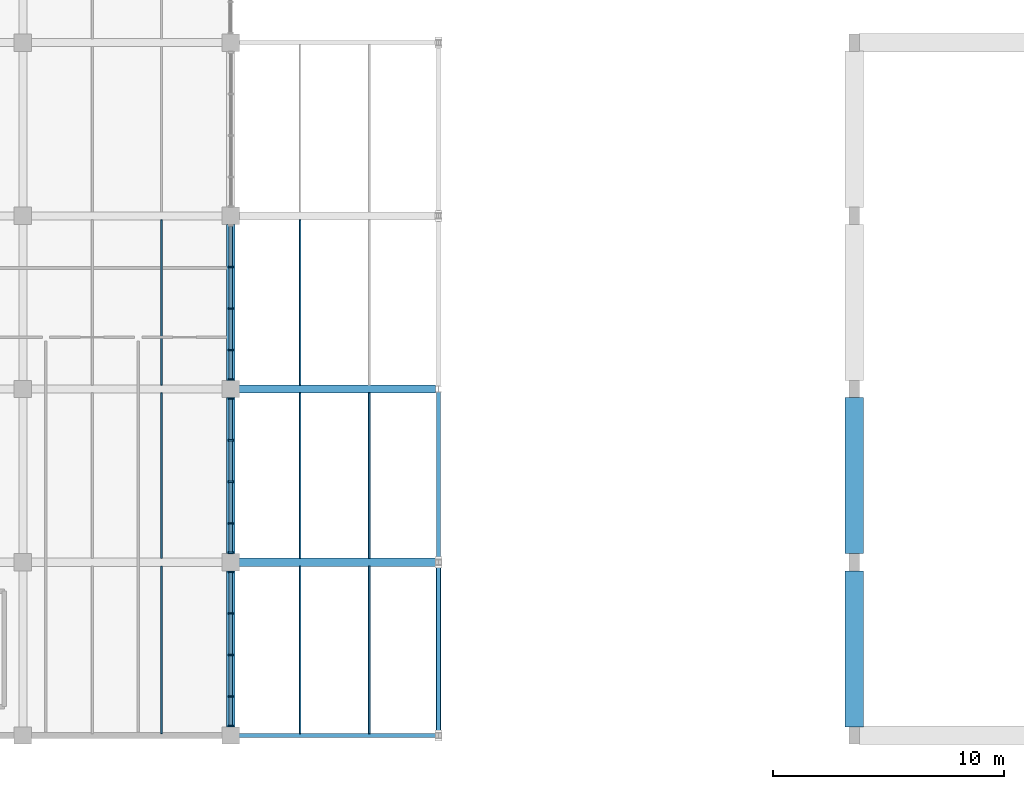
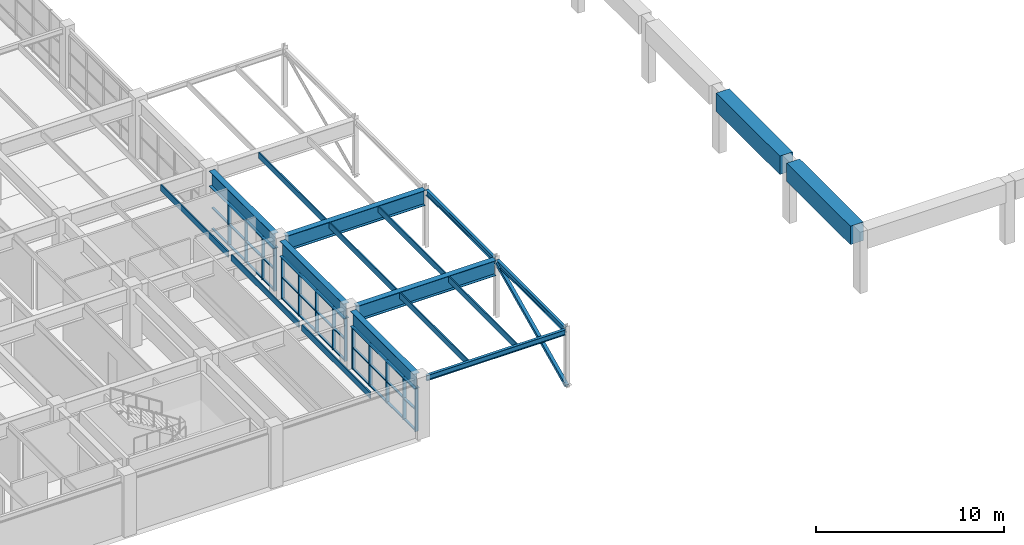
# One storey, part 13 of 76: 50 members, 18 beams, 3 elements without a shape of their own.
"""IFC4 building model written with IfcOpenShell, lengths in metres."""

from ifc_helpers import new_model, si_unit, direction, frame, origin, origin_2d, place, context, subcontext, project, spatial, rectangle, hollow_rectangle, i_section, extrude, material, layer, layer_set, material_profile, profile_set, type_object, element, aggregate, save


model = new_model("IFC4")

# Units and contexts
model_context = context("Model", 3, precision=1e-05, world=origin(), true_north=direction((0.0, 1.0)))
body_context = subcontext(model_context, "Body", "Model", "MODEL_VIEW")
ifc_project = project(units=[si_unit("LENGTHUNIT", "METRE"), si_unit("AREAUNIT", "SQUARE_METRE"), si_unit("VOLUMEUNIT", "CUBIC_METRE"), si_unit("PLANEANGLEUNIT", "RADIAN"), si_unit("MASSUNIT", "GRAM", prefix="KILO")], contexts=[model_context])

# Site, building, storey
site_placement = place(None, origin())
site = spatial("IfcSite", under=ifc_project, at=site_placement, CompositionType="ELEMENT")
building_placement = place(site_placement, origin())
building = spatial("IfcBuilding", under=site, at=building_placement, Name="Marnridge Secondary College", CompositionType="ELEMENT")
storey_placement = place(building_placement, frame((0.0, 0.0, 4.5)))
storey = spatial("IfcBuildingStorey", under=building, at=storey_placement, Name="L01", CompositionType="ELEMENT", Elevation=4.5)

# Beams
ifc_material_1 = material(Name="Engineered timber LVL E13.2", Category="wood")
ifc_material_profile_1 = material_profile(ifc_material_1, rectangle(XDim=0.074951171875, YDim=0.39990234375, at=origin_2d()), Name="LVL 75x400")
ifc_profile_set_1 = profile_set([ifc_material_profile_1], Name="Engineered timber LVL E13.2")
beam_type_1 = type_object("IfcBeamType", Name="BM-LVL400-INT", PredefinedType="JOIST", material=ifc_profile_set_1)
beam_1_placement = place(storey_placement, frame((33.0, 0.07958984375, 3.570068359375), z_axis=(0.0, 1.0, 0.0), x_axis=(-1.0, 0.0, 0.0)))
element("IfcBeam", 1, at=beam_1_placement, inside=storey, type_object=beam_type_1, Name="Beam BJ-L01-0733", PredefinedType="JOIST", context=body_context, shape_type="SweptSolid", body=[
    extrude(rectangle(XDim=0.074951171875, YDim=0.39990234375, at=origin_2d()), origin(), (0.0, 0.0, 1.0), 7.25146484375),
])
for number, where, z_axis, x_axis, name in (
    (2, (33.0, 7.6689453125, 3.570068359375), (0.0, 1.0, 0.0), (-1.0, 0.0, 0.0), "Beam BJ-L01-0735"),
    (3, (33.0, 15.1689453125, 3.570068359375), (0.0, 1.0, 0.0), (-1.0, 0.0, 0.0), "Beam BJ-L01-0737"),
):
    element("IfcBeam", number, at=place(storey_placement, frame(where, z_axis=z_axis, x_axis=x_axis)), inside=storey, type_object=beam_type_1, Name=name, PredefinedType="JOIST", context=body_context, shape_type="SweptSolid", body=[
        extrude(rectangle(XDim=0.074951171875, YDim=0.39990234375, at=origin_2d()), origin(), (0.0, 0.0, 1.0), 7.162109375),
    ])
for number, where, z_axis, x_axis, name in (
    (4, (39.0, 0.07958984375, 3.570068359375), (0.0, 1.0, 0.0), (-1.0, 0.0, 0.0), "Beam BJ-L01-0740"),
    (5, (42.0, 0.07958984375, 3.570068359375), (0.0, 1.0, 0.0), (-1.0, 0.0, 0.0), "Beam BJ-L01-0741"),
):
    element("IfcBeam", number, at=place(storey_placement, frame(where, z_axis=z_axis, x_axis=x_axis)), inside=storey, type_object=beam_type_1, Name=name, PredefinedType="JOIST", context=body_context, shape_type="SweptSolid", body=[
        extrude(rectangle(XDim=0.074951171875, YDim=0.39990234375, at=origin_2d()), origin(), (0.0, 0.0, 1.0), 7.25146484375),
    ])
for number, where, z_axis, x_axis, name in (
    (6, (39.0, 7.6689453125, 3.570068359375), (0.0, 1.0, 0.0), (-1.0, 0.0, 0.0), "Beam BJ-L01-0742"),
    (7, (42.0, 7.6689453125, 3.570068359375), (0.0, 1.0, 0.0), (-1.0, 0.0, 0.0), "Beam BJ-L01-0743"),
    (8, (39.0, 15.1689453125, 3.570068359375), (0.0, 1.0, 0.0), (-1.0, 0.0, 0.0), "Beam BJ-L01-0744"),
):
    element("IfcBeam", number, at=place(storey_placement, frame(where, z_axis=z_axis, x_axis=x_axis)), inside=storey, type_object=beam_type_1, Name=name, PredefinedType="JOIST", context=body_context, shape_type="SweptSolid", body=[
        extrude(rectangle(XDim=0.074951171875, YDim=0.39990234375, at=origin_2d()), origin(), (0.0, 0.0, 1.0), 7.162109375),
    ])
ifc_material_2 = material(Name="Concrete C50/60 (AS 3600 N50, 50 MPa)", Category="concrete")
ifc_material_profile_2 = material_profile(ifc_material_2, rectangle(XDim=0.800048828125, YDim=1.199951171875, at=origin_2d()), Name="RC 800x1200")
ifc_profile_set_2 = profile_set([ifc_material_profile_2], Name="Concrete C50/60 (AS 3600 N50, 50 MPa)")
beam_type_2 = type_object("IfcBeamType", Name="BM-RING-8012", PredefinedType="USERDEFINED", material=ifc_profile_set_2)
for number, where, z_axis, x_axis, name in (
    (9, (63.0, 0.368896484375, 3.39990234375), (0.0, 1.0, 0.0), (-1.0, 0.0, 0.0), "Beam BRG-L01-0027"),
    (10, (63.0, 7.868896484375, 3.39990234375), (0.0, 1.0, 0.0), (-1.0, 0.0, 0.0), "Beam BRG-L01-0029"),
):
    element("IfcBeam", number, at=place(storey_placement, frame(where, z_axis=z_axis, x_axis=x_axis)), inside=storey, type_object=beam_type_2, Name=name, ObjectType="RING BEAM", PredefinedType="USERDEFINED", context=body_context, shape_type="SweptSolid", body=[
        extrude(rectangle(XDim=0.800048828125, YDim=1.199951171875, at=origin_2d()), origin(), (0.0, 0.0, 1.0), 6.76220703125),
    ])
ifc_material_3 = material(Name="Structural steel Grade 350 (AS/NZS 3679.1/.2, fy = 340-360 MPa)", Category="steel")
ifc_material_profile_3 = material_profile(ifc_material_3, i_section(OverallWidth=0.1708984375, OverallDepth=0.35205078125, WebThickness=0.0068359375, FlangeThickness=0.009765625, FilletRadius=0.011474609375, at=origin_2d()), Name="360UB44.7")
ifc_profile_set_3 = profile_set([ifc_material_profile_3], Name="Structural steel Grade 350 (AS/NZS 3679.1/.2, fy = 340-360 MPa)")
beam_type_3 = type_object("IfcBeamType", Name="BM-UB360-EXT", PredefinedType="SPANDREL", material=ifc_profile_set_3)
beam_2_placement = place(storey_placement, frame((36.368896484375, 0.0, 3.593994140625), z_axis=(1.0, 0.0, 0.0), x_axis=(0.0, 1.0, 0.0)))
element("IfcBeam", 11, at=beam_2_placement, inside=storey, type_object=beam_type_3, Name="Beam BS-L01-0695", PredefinedType="SPANDREL", context=body_context, shape_type="SweptSolid", body=[
    extrude(i_section(OverallWidth=0.1708984375, OverallDepth=0.35205078125, WebThickness=0.0068359375, FlangeThickness=0.009765625, FilletRadius=0.011474609375, at=origin_2d()), origin(), (0.0, 0.0, 1.0), 8.510009765625),
])
for number, where, z_axis, x_axis, name in (
    (12, (45.0, 0.120849609375, 3.593994140625), (0.0, 1.0, 0.0), (-1.0, 0.0, 0.0), "Beam BS-L01-0697"),
    (13, (45.0, 7.620849609375, 3.593994140625), (0.0, 1.0, 0.0), (-1.0, 0.0, 0.0), "Beam BS-L01-0699"),
):
    element("IfcBeam", number, at=place(storey_placement, frame(where, z_axis=z_axis, x_axis=x_axis)), inside=storey, type_object=beam_type_3, Name=name, PredefinedType="SPANDREL", context=body_context, shape_type="SweptSolid", body=[
        extrude(i_section(OverallWidth=0.1708984375, OverallDepth=0.35205078125, WebThickness=0.0068359375, FlangeThickness=0.009765625, FilletRadius=0.011474609375, at=origin_2d()), origin(), (0.0, 0.0, 1.0), 7.25830078125),
    ])
ifc_material_4 = material(Name="Structural steel Grade 350 (AS/NZS 3679.1/.2, fy = 340-360 MPa)", Category="steel")
ifc_material_profile_4 = material_profile(ifc_material_4, i_section(OverallWidth=0.35009765625, OverallDepth=0.989990234375, WebThickness=0.01611328125, FlangeThickness=0.02490234375, at=origin_2d()), Name="1000WB258")
ifc_profile_set_4 = profile_set([ifc_material_profile_4], Name="Structural steel Grade 350 (AS/NZS 3679.1/.2, fy = 340-360 MPa)")
beam_type_4 = type_object("IfcBeamType", Name="BM-WB1000-INT", PredefinedType="BEAM", material=ifc_profile_set_4)
for number, where, z_axis, x_axis, name in (
    (14, (36.0, 0.368896484375, 3.27490234375), (0.0, 1.0, 0.0), (-1.0, 0.0, 0.0), "Beam B-L01-0688"),
    (15, (36.0, 7.868896484375, 3.27490234375), (0.0, 1.0, 0.0), (-1.0, 0.0, 0.0), "Beam B-L01-0690"),
    (16, (36.0, 15.368896484375, 3.27490234375), (0.0, 1.0, 0.0), (-1.0, 0.0, 0.0), "Beam B-L01-0692"),
):
    element("IfcBeam", number, at=place(storey_placement, frame(where, z_axis=z_axis, x_axis=x_axis)), inside=storey, type_object=beam_type_4, Name=name, PredefinedType="BEAM", context=body_context, shape_type="SweptSolid", body=[
        extrude(i_section(OverallWidth=0.35009765625, OverallDepth=0.989990234375, WebThickness=0.01611328125, FlangeThickness=0.02490234375, at=origin_2d()), origin(), (0.0, 0.0, 1.0), 6.76220703125),
    ])
for number, where, z_axis, x_axis, name in (
    (17, (36.368896484375, 7.5, 3.27490234375), (1.0, 0.0, 0.0), (0.0, 1.0, 0.0), "Beam B-L01-0696"),
    (18, (36.368896484375, 15.0, 3.27490234375), (1.0, 0.0, 0.0), (0.0, 1.0, 0.0), "Beam B-L01-0698"),
):
    element("IfcBeam", number, at=place(storey_placement, frame(where, z_axis=z_axis, x_axis=x_axis)), inside=storey, type_object=beam_type_4, Name=name, PredefinedType="BEAM", context=body_context, shape_type="SweptSolid", body=[
        extrude(i_section(OverallWidth=0.35009765625, OverallDepth=0.989990234375, WebThickness=0.01611328125, FlangeThickness=0.02490234375, at=origin_2d()), origin(), (0.0, 0.0, 1.0), 8.510009765625),
    ])

# Curtain wall, members
ifc_material_5 = material(Name="Bronze-anodised aluminium and solar-control glazing", Category="aluminium")
ifc_layer = layer(ifc_material_5, 0.199951171875)
ifc_layer_set = layer_set([ifc_layer], Name="CW-MOD-1800")
curtain_wall_type = type_object("IfcCurtainWallType", Name="CW-MOD-1800", PredefinedType="NOTDEFINED", material=ifc_layer_set)
curtain_wall_1_placement = place(storey_placement, origin())
curtain_wall_1 = element("IfcCurtainWall", 19, at=curtain_wall_1_placement, inside=storey, type_object=curtain_wall_type, Name="Unitised curtain wall CW-L01-066", PredefinedType="NOTDEFINED")
ifc_material_6 = material(Name="Bronze-anodised aluminium 6063-T6", Category="aluminium")
ifc_material_profile_5 = material_profile(ifc_material_6, rectangle(XDim=0.070068359375, YDim=0.199951171875, at=origin_2d()), Name="ALU 70x200")
ifc_profile_set_5 = profile_set([ifc_material_profile_5], Name="Bronze-anodised aluminium 6063-T6")
member_type_1 = type_object("IfcMemberType", Name="CWM-ALU200", PredefinedType="MULLION", material=ifc_profile_set_5)
member_1_placement = place(storey_placement, frame((36.0, 20.285888671875, 0.0), z_axis=(0.0, 0.0, 1.0), x_axis=(0.0, -1.0, 0.0)))
member_1 = element("IfcMember", 20, at=member_1_placement, type_object=member_type_1, Name="CW-L01-066 mullion 2", PredefinedType="MULLION", context=body_context, shape_type="SweptSolid", body=[
    extrude(rectangle(XDim=0.070068359375, YDim=0.199951171875, at=origin_2d()), origin(), (0.0, 0.0, 1.0), 2.77197265625),
])
member_2_placement = place(storey_placement, frame((36.0, 18.486083984375, 0.0), z_axis=(0.0, 0.0, 1.0), x_axis=(0.0, -1.0, 0.0)))
member_2 = element("IfcMember", 21, at=member_2_placement, type_object=member_type_1, Name="CW-L01-066 mullion 3", PredefinedType="MULLION", context=body_context, shape_type="SweptSolid", body=[
    extrude(rectangle(XDim=0.070068359375, YDim=0.199951171875, at=origin_2d()), origin(), (0.0, 0.0, 1.0), 2.77197265625),
])
member_3_placement = place(storey_placement, frame((36.0, 16.68603515625, 0.0), z_axis=(0.0, 0.0, 1.0), x_axis=(0.0, -1.0, 0.0)))
member_3 = element("IfcMember", 22, at=member_3_placement, type_object=member_type_1, Name="CW-L01-066 mullion 4", PredefinedType="MULLION", context=body_context, shape_type="SweptSolid", body=[
    extrude(rectangle(XDim=0.070068359375, YDim=0.199951171875, at=origin_2d()), origin(), (0.0, 0.0, 1.0), 2.77197265625),
])
member_4_placement = place(storey_placement, frame((36.0, 15.4140625, 0.0), z_axis=(0.0, 0.0, 1.0), x_axis=(0.0, -1.0, 0.0)))
member_4 = element("IfcMember", 23, at=member_4_placement, type_object=member_type_1, Name="CW-L01-066 mullion 5", PredefinedType="MULLION", context=body_context, shape_type="SweptSolid", body=[
    extrude(rectangle(XDim=0.070068359375, YDim=0.199951171875, at=origin_2d()), origin(), (0.0, 0.0, 1.0), 2.77197265625),
])

curtain_wall_2_placement = place(storey_placement, origin())
curtain_wall_2 = element("IfcCurtainWall", 24, at=curtain_wall_2_placement, inside=storey, type_object=curtain_wall_type, Name="Unitised curtain wall CW-L01-067", PredefinedType="NOTDEFINED")
member_5_placement = place(storey_placement, frame((36.0, 14.5859375, 0.0), z_axis=(0.0, 0.0, 1.0), x_axis=(0.0, -1.0, 0.0)))
member_5 = element("IfcMember", 25, at=member_5_placement, type_object=member_type_1, Name="CW-L01-067 mullion 1", PredefinedType="MULLION", context=body_context, shape_type="SweptSolid", body=[
    extrude(rectangle(XDim=0.070068359375, YDim=0.199951171875, at=origin_2d()), origin(), (0.0, 0.0, 1.0), 2.77197265625),
])
member_6_placement = place(storey_placement, frame((36.0, 12.785888671875, 0.0), z_axis=(0.0, 0.0, 1.0), x_axis=(0.0, -1.0, 0.0)))
member_6 = element("IfcMember", 26, at=member_6_placement, type_object=member_type_1, Name="CW-L01-067 mullion 2", PredefinedType="MULLION", context=body_context, shape_type="SweptSolid", body=[
    extrude(rectangle(XDim=0.070068359375, YDim=0.199951171875, at=origin_2d()), origin(), (0.0, 0.0, 1.0), 2.77197265625),
])
member_7_placement = place(storey_placement, frame((36.0, 10.986083984375, 0.0), z_axis=(0.0, 0.0, 1.0), x_axis=(0.0, -1.0, 0.0)))
member_7 = element("IfcMember", 27, at=member_7_placement, type_object=member_type_1, Name="CW-L01-067 mullion 3", PredefinedType="MULLION", context=body_context, shape_type="SweptSolid", body=[
    extrude(rectangle(XDim=0.070068359375, YDim=0.199951171875, at=origin_2d()), origin(), (0.0, 0.0, 1.0), 2.77197265625),
])
member_8_placement = place(storey_placement, frame((36.0, 9.18603515625, 0.0), z_axis=(0.0, 0.0, 1.0), x_axis=(0.0, -1.0, 0.0)))
member_8 = element("IfcMember", 28, at=member_8_placement, type_object=member_type_1, Name="CW-L01-067 mullion 4", PredefinedType="MULLION", context=body_context, shape_type="SweptSolid", body=[
    extrude(rectangle(XDim=0.070068359375, YDim=0.199951171875, at=origin_2d()), origin(), (0.0, 0.0, 1.0), 2.77197265625),
])
member_9_placement = place(storey_placement, frame((36.0, 7.9140625, 0.0), z_axis=(0.0, 0.0, 1.0), x_axis=(0.0, -1.0, 0.0)))
member_9 = element("IfcMember", 29, at=member_9_placement, type_object=member_type_1, Name="CW-L01-067 mullion 5", PredefinedType="MULLION", context=body_context, shape_type="SweptSolid", body=[
    extrude(rectangle(XDim=0.070068359375, YDim=0.199951171875, at=origin_2d()), origin(), (0.0, 0.0, 1.0), 2.77197265625),
])

curtain_wall_3_placement = place(storey_placement, origin())
curtain_wall_3 = element("IfcCurtainWall", 30, at=curtain_wall_3_placement, inside=storey, type_object=curtain_wall_type, Name="Unitised curtain wall CW-L01-068", PredefinedType="NOTDEFINED")
member_10_placement = place(storey_placement, frame((36.0, 7.0859375, 0.0), z_axis=(0.0, 0.0, 1.0), x_axis=(0.0, -1.0, 0.0)))
member_10 = element("IfcMember", 31, at=member_10_placement, type_object=member_type_1, Name="CW-L01-068 mullion 1", PredefinedType="MULLION", context=body_context, shape_type="SweptSolid", body=[
    extrude(rectangle(XDim=0.070068359375, YDim=0.199951171875, at=origin_2d()), origin(), (0.0, 0.0, 1.0), 2.77197265625),
])
member_11_placement = place(storey_placement, frame((36.0, 5.285888671875, 0.0), z_axis=(0.0, 0.0, 1.0), x_axis=(0.0, -1.0, 0.0)))
member_11 = element("IfcMember", 32, at=member_11_placement, type_object=member_type_1, Name="CW-L01-068 mullion 2", PredefinedType="MULLION", context=body_context, shape_type="SweptSolid", body=[
    extrude(rectangle(XDim=0.070068359375, YDim=0.199951171875, at=origin_2d()), origin(), (0.0, 0.0, 1.0), 2.77197265625),
])
member_12_placement = place(storey_placement, frame((36.0, 3.486083984375, 0.0), z_axis=(0.0, 0.0, 1.0), x_axis=(0.0, -1.0, 0.0)))
member_12 = element("IfcMember", 33, at=member_12_placement, type_object=member_type_1, Name="CW-L01-068 mullion 3", PredefinedType="MULLION", context=body_context, shape_type="SweptSolid", body=[
    extrude(rectangle(XDim=0.070068359375, YDim=0.199951171875, at=origin_2d()), origin(), (0.0, 0.0, 1.0), 2.77197265625),
])
member_13_placement = place(storey_placement, frame((36.0, 1.68603515625, 0.0), z_axis=(0.0, 0.0, 1.0), x_axis=(0.0, -1.0, 0.0)))
member_13 = element("IfcMember", 34, at=member_13_placement, type_object=member_type_1, Name="CW-L01-068 mullion 4", PredefinedType="MULLION", context=body_context, shape_type="SweptSolid", body=[
    extrude(rectangle(XDim=0.070068359375, YDim=0.199951171875, at=origin_2d()), origin(), (0.0, 0.0, 1.0), 2.77197265625),
])
member_14_placement = place(storey_placement, frame((36.0, 0.4140625, 0.0), z_axis=(0.0, 0.0, 1.0), x_axis=(0.0, -1.0, 0.0)))
member_14 = element("IfcMember", 35, at=member_14_placement, type_object=member_type_1, Name="CW-L01-068 mullion 5", PredefinedType="MULLION", context=body_context, shape_type="SweptSolid", body=[
    extrude(rectangle(XDim=0.070068359375, YDim=0.199951171875, at=origin_2d()), origin(), (0.0, 0.0, 1.0), 2.77197265625),
])

# Member
ifc_material_7 = material(Name="Anodised aluminium 6063-T6", Category="aluminium")
ifc_material_profile_6 = material_profile(ifc_material_7, rectangle(XDim=0.06494140625, YDim=0.139892578125, at=origin_2d()), Name="ALU 65x140")
ifc_profile_set_6 = profile_set([ifc_material_profile_6], Name="Anodised aluminium 6063-T6")
member_type_2 = type_object("IfcMemberType", Name="CWT-ALU140", PredefinedType="USERDEFINED", material=ifc_profile_set_6)
member_15_placement = place(storey_placement, frame((36.0, 22.051025390625, 0.032470703125), z_axis=(0.0, -1.0, 0.0), x_axis=(0.0, 0.0, 1.0)))
member_15 = element("IfcMember", 36, at=member_15_placement, type_object=member_type_2, Name="CW-L01-066 transom 1.1", ObjectType="TRANSOM", PredefinedType="USERDEFINED", context=body_context, shape_type="SweptSolid", body=[
    extrude(rectangle(XDim=0.06494140625, YDim=0.139892578125, at=origin_2d()), origin(), (0.0, 0.0, 1.0), 1.72998046875),
])

member_16_placement = place(storey_placement, frame((36.0, 22.051025390625, 1.385986328125), z_axis=(0.0, -1.0, 0.0), x_axis=(0.0, 0.0, 1.0)))
member_16 = element("IfcMember", 37, at=member_16_placement, type_object=member_type_2, Name="CW-L01-066 transom 1.2", ObjectType="TRANSOM", PredefinedType="USERDEFINED", context=body_context, shape_type="SweptSolid", body=[
    extrude(rectangle(XDim=0.06494140625, YDim=0.139892578125, at=origin_2d()), origin(), (0.0, 0.0, 1.0), 1.72998046875),
])

member_17_placement = place(storey_placement, frame((36.0, 20.2509765625, 0.032470703125), z_axis=(0.0, -1.0, 0.0), x_axis=(0.0, 0.0, 1.0)))
member_17 = element("IfcMember", 38, at=member_17_placement, type_object=member_type_2, Name="CW-L01-066 transom 2.1", ObjectType="TRANSOM", PredefinedType="USERDEFINED", context=body_context, shape_type="SweptSolid", body=[
    extrude(rectangle(XDim=0.06494140625, YDim=0.139892578125, at=origin_2d()), origin(), (0.0, 0.0, 1.0), 1.72998046875),
])

member_18_placement = place(storey_placement, frame((36.0, 20.2509765625, 1.385986328125), z_axis=(0.0, -1.0, 0.0), x_axis=(0.0, 0.0, 1.0)))
member_18 = element("IfcMember", 39, at=member_18_placement, type_object=member_type_2, Name="CW-L01-066 transom 2.2", ObjectType="TRANSOM", PredefinedType="USERDEFINED", context=body_context, shape_type="SweptSolid", body=[
    extrude(rectangle(XDim=0.06494140625, YDim=0.139892578125, at=origin_2d()), origin(), (0.0, 0.0, 1.0), 1.72998046875),
])

member_19_placement = place(storey_placement, frame((36.0, 20.2509765625, 2.739501953125), z_axis=(0.0, -1.0, 0.0), x_axis=(0.0, 0.0, 1.0)))
member_19 = element("IfcMember", 40, at=member_19_placement, type_object=member_type_2, Name="CW-L01-066 transom 2.3", ObjectType="TRANSOM", PredefinedType="USERDEFINED", context=body_context, shape_type="SweptSolid", body=[
    extrude(rectangle(XDim=0.06494140625, YDim=0.139892578125, at=origin_2d()), origin(), (0.0, 0.0, 1.0), 1.72998046875),
])

member_20_placement = place(storey_placement, frame((36.0, 18.450927734375, 0.032470703125), z_axis=(0.0, -1.0, 0.0), x_axis=(0.0, 0.0, 1.0)))
member_20 = element("IfcMember", 41, at=member_20_placement, type_object=member_type_2, Name="CW-L01-066 transom 3.1", ObjectType="TRANSOM", PredefinedType="USERDEFINED", context=body_context, shape_type="SweptSolid", body=[
    extrude(rectangle(XDim=0.06494140625, YDim=0.139892578125, at=origin_2d()), origin(), (0.0, 0.0, 1.0), 1.72998046875),
])

member_21_placement = place(storey_placement, frame((36.0, 18.450927734375, 1.385986328125), z_axis=(0.0, -1.0, 0.0), x_axis=(0.0, 0.0, 1.0)))
member_21 = element("IfcMember", 42, at=member_21_placement, type_object=member_type_2, Name="CW-L01-066 transom 3.2", ObjectType="TRANSOM", PredefinedType="USERDEFINED", context=body_context, shape_type="SweptSolid", body=[
    extrude(rectangle(XDim=0.06494140625, YDim=0.139892578125, at=origin_2d()), origin(), (0.0, 0.0, 1.0), 1.72998046875),
])

member_22_placement = place(storey_placement, frame((36.0, 18.450927734375, 2.739501953125), z_axis=(0.0, -1.0, 0.0), x_axis=(0.0, 0.0, 1.0)))
member_22 = element("IfcMember", 43, at=member_22_placement, type_object=member_type_2, Name="CW-L01-066 transom 3.3", ObjectType="TRANSOM", PredefinedType="USERDEFINED", context=body_context, shape_type="SweptSolid", body=[
    extrude(rectangle(XDim=0.06494140625, YDim=0.139892578125, at=origin_2d()), origin(), (0.0, 0.0, 1.0), 1.72998046875),
])

member_23_placement = place(storey_placement, frame((36.0, 16.65087890625, 0.032470703125), z_axis=(0.0, -1.0, 0.0), x_axis=(0.0, 0.0, 1.0)))
member_23 = element("IfcMember", 44, at=member_23_placement, type_object=member_type_2, Name="CW-L01-066 transom 4.1", ObjectType="TRANSOM", PredefinedType="USERDEFINED", context=body_context, shape_type="SweptSolid", body=[
    extrude(rectangle(XDim=0.06494140625, YDim=0.139892578125, at=origin_2d()), origin(), (0.0, 0.0, 1.0), 1.201904296875),
])

member_24_placement = place(storey_placement, frame((36.0, 16.65087890625, 1.385986328125), z_axis=(0.0, -1.0, 0.0), x_axis=(0.0, 0.0, 1.0)))
member_24 = element("IfcMember", 45, at=member_24_placement, type_object=member_type_2, Name="CW-L01-066 transom 4.2", ObjectType="TRANSOM", PredefinedType="USERDEFINED", context=body_context, shape_type="SweptSolid", body=[
    extrude(rectangle(XDim=0.06494140625, YDim=0.139892578125, at=origin_2d()), origin(), (0.0, 0.0, 1.0), 1.201904296875),
])

member_25_placement = place(storey_placement, frame((36.0, 16.65087890625, 2.739501953125), z_axis=(0.0, -1.0, 0.0), x_axis=(0.0, 0.0, 1.0)))
member_25 = element("IfcMember", 46, at=member_25_placement, type_object=member_type_2, Name="CW-L01-066 transom 4.3", ObjectType="TRANSOM", PredefinedType="USERDEFINED", context=body_context, shape_type="SweptSolid", body=[
    extrude(rectangle(XDim=0.06494140625, YDim=0.139892578125, at=origin_2d()), origin(), (0.0, 0.0, 1.0), 1.201904296875),
])

aggregate(curtain_wall_1, [member_1, member_2, member_3, member_4, member_15, member_16, member_17, member_18, member_19, member_20, member_21, member_22, member_23, member_24, member_25])

member_26_placement = place(storey_placement, frame((36.0, 14.551025390625, 0.032470703125), z_axis=(0.0, -1.0, 0.0), x_axis=(0.0, 0.0, 1.0)))
member_26 = element("IfcMember", 47, at=member_26_placement, type_object=member_type_2, Name="CW-L01-067 transom 1.1", ObjectType="TRANSOM", PredefinedType="USERDEFINED", context=body_context, shape_type="SweptSolid", body=[
    extrude(rectangle(XDim=0.06494140625, YDim=0.139892578125, at=origin_2d()), origin(), (0.0, 0.0, 1.0), 1.72998046875),
])

member_27_placement = place(storey_placement, frame((36.0, 14.551025390625, 1.385986328125), z_axis=(0.0, -1.0, 0.0), x_axis=(0.0, 0.0, 1.0)))
member_27 = element("IfcMember", 48, at=member_27_placement, type_object=member_type_2, Name="CW-L01-067 transom 1.2", ObjectType="TRANSOM", PredefinedType="USERDEFINED", context=body_context, shape_type="SweptSolid", body=[
    extrude(rectangle(XDim=0.06494140625, YDim=0.139892578125, at=origin_2d()), origin(), (0.0, 0.0, 1.0), 1.72998046875),
])

member_28_placement = place(storey_placement, frame((36.0, 14.551025390625, 2.739501953125), z_axis=(0.0, -1.0, 0.0), x_axis=(0.0, 0.0, 1.0)))
member_28 = element("IfcMember", 49, at=member_28_placement, type_object=member_type_2, Name="CW-L01-067 transom 1.3", ObjectType="TRANSOM", PredefinedType="USERDEFINED", context=body_context, shape_type="SweptSolid", body=[
    extrude(rectangle(XDim=0.06494140625, YDim=0.139892578125, at=origin_2d()), origin(), (0.0, 0.0, 1.0), 1.72998046875),
])

member_29_placement = place(storey_placement, frame((36.0, 12.7509765625, 0.032470703125), z_axis=(0.0, -1.0, 0.0), x_axis=(0.0, 0.0, 1.0)))
member_29 = element("IfcMember", 50, at=member_29_placement, type_object=member_type_2, Name="CW-L01-067 transom 2.1", ObjectType="TRANSOM", PredefinedType="USERDEFINED", context=body_context, shape_type="SweptSolid", body=[
    extrude(rectangle(XDim=0.06494140625, YDim=0.139892578125, at=origin_2d()), origin(), (0.0, 0.0, 1.0), 1.72998046875),
])

member_30_placement = place(storey_placement, frame((36.0, 12.7509765625, 1.385986328125), z_axis=(0.0, -1.0, 0.0), x_axis=(0.0, 0.0, 1.0)))
member_30 = element("IfcMember", 51, at=member_30_placement, type_object=member_type_2, Name="CW-L01-067 transom 2.2", ObjectType="TRANSOM", PredefinedType="USERDEFINED", context=body_context, shape_type="SweptSolid", body=[
    extrude(rectangle(XDim=0.06494140625, YDim=0.139892578125, at=origin_2d()), origin(), (0.0, 0.0, 1.0), 1.72998046875),
])

member_31_placement = place(storey_placement, frame((36.0, 12.7509765625, 2.739501953125), z_axis=(0.0, -1.0, 0.0), x_axis=(0.0, 0.0, 1.0)))
member_31 = element("IfcMember", 52, at=member_31_placement, type_object=member_type_2, Name="CW-L01-067 transom 2.3", ObjectType="TRANSOM", PredefinedType="USERDEFINED", context=body_context, shape_type="SweptSolid", body=[
    extrude(rectangle(XDim=0.06494140625, YDim=0.139892578125, at=origin_2d()), origin(), (0.0, 0.0, 1.0), 1.72998046875),
])

member_32_placement = place(storey_placement, frame((36.0, 10.950927734375, 0.032470703125), z_axis=(0.0, -1.0, 0.0), x_axis=(0.0, 0.0, 1.0)))
member_32 = element("IfcMember", 53, at=member_32_placement, type_object=member_type_2, Name="CW-L01-067 transom 3.1", ObjectType="TRANSOM", PredefinedType="USERDEFINED", context=body_context, shape_type="SweptSolid", body=[
    extrude(rectangle(XDim=0.06494140625, YDim=0.139892578125, at=origin_2d()), origin(), (0.0, 0.0, 1.0), 1.72998046875),
])

member_33_placement = place(storey_placement, frame((36.0, 10.950927734375, 1.385986328125), z_axis=(0.0, -1.0, 0.0), x_axis=(0.0, 0.0, 1.0)))
member_33 = element("IfcMember", 54, at=member_33_placement, type_object=member_type_2, Name="CW-L01-067 transom 3.2", ObjectType="TRANSOM", PredefinedType="USERDEFINED", context=body_context, shape_type="SweptSolid", body=[
    extrude(rectangle(XDim=0.06494140625, YDim=0.139892578125, at=origin_2d()), origin(), (0.0, 0.0, 1.0), 1.72998046875),
])

member_34_placement = place(storey_placement, frame((36.0, 10.950927734375, 2.739501953125), z_axis=(0.0, -1.0, 0.0), x_axis=(0.0, 0.0, 1.0)))
member_34 = element("IfcMember", 55, at=member_34_placement, type_object=member_type_2, Name="CW-L01-067 transom 3.3", ObjectType="TRANSOM", PredefinedType="USERDEFINED", context=body_context, shape_type="SweptSolid", body=[
    extrude(rectangle(XDim=0.06494140625, YDim=0.139892578125, at=origin_2d()), origin(), (0.0, 0.0, 1.0), 1.72998046875),
])

member_35_placement = place(storey_placement, frame((36.0, 9.15087890625, 0.032470703125), z_axis=(0.0, -1.0, 0.0), x_axis=(0.0, 0.0, 1.0)))
member_35 = element("IfcMember", 56, at=member_35_placement, type_object=member_type_2, Name="CW-L01-067 transom 4.1", ObjectType="TRANSOM", PredefinedType="USERDEFINED", context=body_context, shape_type="SweptSolid", body=[
    extrude(rectangle(XDim=0.06494140625, YDim=0.139892578125, at=origin_2d()), origin(), (0.0, 0.0, 1.0), 1.201904296875),
])

member_36_placement = place(storey_placement, frame((36.0, 9.15087890625, 1.385986328125), z_axis=(0.0, -1.0, 0.0), x_axis=(0.0, 0.0, 1.0)))
member_36 = element("IfcMember", 57, at=member_36_placement, type_object=member_type_2, Name="CW-L01-067 transom 4.2", ObjectType="TRANSOM", PredefinedType="USERDEFINED", context=body_context, shape_type="SweptSolid", body=[
    extrude(rectangle(XDim=0.06494140625, YDim=0.139892578125, at=origin_2d()), origin(), (0.0, 0.0, 1.0), 1.201904296875),
])

member_37_placement = place(storey_placement, frame((36.0, 9.15087890625, 2.739501953125), z_axis=(0.0, -1.0, 0.0), x_axis=(0.0, 0.0, 1.0)))
member_37 = element("IfcMember", 58, at=member_37_placement, type_object=member_type_2, Name="CW-L01-067 transom 4.3", ObjectType="TRANSOM", PredefinedType="USERDEFINED", context=body_context, shape_type="SweptSolid", body=[
    extrude(rectangle(XDim=0.06494140625, YDim=0.139892578125, at=origin_2d()), origin(), (0.0, 0.0, 1.0), 1.201904296875),
])

aggregate(curtain_wall_2, [member_5, member_6, member_7, member_8, member_9, member_26, member_27, member_28, member_29, member_30, member_31, member_32, member_33, member_34, member_35, member_36, member_37])

member_38_placement = place(storey_placement, frame((36.0, 7.051025390625, 0.032470703125), z_axis=(0.0, -1.0, 0.0), x_axis=(0.0, 0.0, 1.0)))
member_38 = element("IfcMember", 59, at=member_38_placement, type_object=member_type_2, Name="CW-L01-068 transom 1.1", ObjectType="TRANSOM", PredefinedType="USERDEFINED", context=body_context, shape_type="SweptSolid", body=[
    extrude(rectangle(XDim=0.06494140625, YDim=0.139892578125, at=origin_2d()), origin(), (0.0, 0.0, 1.0), 1.72998046875),
])

member_39_placement = place(storey_placement, frame((36.0, 7.051025390625, 1.385986328125), z_axis=(0.0, -1.0, 0.0), x_axis=(0.0, 0.0, 1.0)))
member_39 = element("IfcMember", 60, at=member_39_placement, type_object=member_type_2, Name="CW-L01-068 transom 1.2", ObjectType="TRANSOM", PredefinedType="USERDEFINED", context=body_context, shape_type="SweptSolid", body=[
    extrude(rectangle(XDim=0.06494140625, YDim=0.139892578125, at=origin_2d()), origin(), (0.0, 0.0, 1.0), 1.72998046875),
])

member_40_placement = place(storey_placement, frame((36.0, 7.051025390625, 2.739501953125), z_axis=(0.0, -1.0, 0.0), x_axis=(0.0, 0.0, 1.0)))
member_40 = element("IfcMember", 61, at=member_40_placement, type_object=member_type_2, Name="CW-L01-068 transom 1.3", ObjectType="TRANSOM", PredefinedType="USERDEFINED", context=body_context, shape_type="SweptSolid", body=[
    extrude(rectangle(XDim=0.06494140625, YDim=0.139892578125, at=origin_2d()), origin(), (0.0, 0.0, 1.0), 1.72998046875),
])

member_41_placement = place(storey_placement, frame((36.0, 5.2509765625, 0.032470703125), z_axis=(0.0, -1.0, 0.0), x_axis=(0.0, 0.0, 1.0)))
member_41 = element("IfcMember", 62, at=member_41_placement, type_object=member_type_2, Name="CW-L01-068 transom 2.1", ObjectType="TRANSOM", PredefinedType="USERDEFINED", context=body_context, shape_type="SweptSolid", body=[
    extrude(rectangle(XDim=0.06494140625, YDim=0.139892578125, at=origin_2d()), origin(), (0.0, 0.0, 1.0), 1.72998046875),
])

member_42_placement = place(storey_placement, frame((36.0, 5.2509765625, 1.385986328125), z_axis=(0.0, -1.0, 0.0), x_axis=(0.0, 0.0, 1.0)))
member_42 = element("IfcMember", 63, at=member_42_placement, type_object=member_type_2, Name="CW-L01-068 transom 2.2", ObjectType="TRANSOM", PredefinedType="USERDEFINED", context=body_context, shape_type="SweptSolid", body=[
    extrude(rectangle(XDim=0.06494140625, YDim=0.139892578125, at=origin_2d()), origin(), (0.0, 0.0, 1.0), 1.72998046875),
])

member_43_placement = place(storey_placement, frame((36.0, 5.2509765625, 2.739501953125), z_axis=(0.0, -1.0, 0.0), x_axis=(0.0, 0.0, 1.0)))
member_43 = element("IfcMember", 64, at=member_43_placement, type_object=member_type_2, Name="CW-L01-068 transom 2.3", ObjectType="TRANSOM", PredefinedType="USERDEFINED", context=body_context, shape_type="SweptSolid", body=[
    extrude(rectangle(XDim=0.06494140625, YDim=0.139892578125, at=origin_2d()), origin(), (0.0, 0.0, 1.0), 1.72998046875),
])

member_44_placement = place(storey_placement, frame((36.0, 3.450927734375, 0.032470703125), z_axis=(0.0, -1.0, 0.0), x_axis=(0.0, 0.0, 1.0)))
member_44 = element("IfcMember", 65, at=member_44_placement, type_object=member_type_2, Name="CW-L01-068 transom 3.1", ObjectType="TRANSOM", PredefinedType="USERDEFINED", context=body_context, shape_type="SweptSolid", body=[
    extrude(rectangle(XDim=0.06494140625, YDim=0.139892578125, at=origin_2d()), origin(), (0.0, 0.0, 1.0), 1.72998046875),
])

member_45_placement = place(storey_placement, frame((36.0, 3.450927734375, 1.385986328125), z_axis=(0.0, -1.0, 0.0), x_axis=(0.0, 0.0, 1.0)))
member_45 = element("IfcMember", 66, at=member_45_placement, type_object=member_type_2, Name="CW-L01-068 transom 3.2", ObjectType="TRANSOM", PredefinedType="USERDEFINED", context=body_context, shape_type="SweptSolid", body=[
    extrude(rectangle(XDim=0.06494140625, YDim=0.139892578125, at=origin_2d()), origin(), (0.0, 0.0, 1.0), 1.72998046875),
])

member_46_placement = place(storey_placement, frame((36.0, 3.450927734375, 2.739501953125), z_axis=(0.0, -1.0, 0.0), x_axis=(0.0, 0.0, 1.0)))
member_46 = element("IfcMember", 67, at=member_46_placement, type_object=member_type_2, Name="CW-L01-068 transom 3.3", ObjectType="TRANSOM", PredefinedType="USERDEFINED", context=body_context, shape_type="SweptSolid", body=[
    extrude(rectangle(XDim=0.06494140625, YDim=0.139892578125, at=origin_2d()), origin(), (0.0, 0.0, 1.0), 1.72998046875),
])

member_47_placement = place(storey_placement, frame((36.0, 1.65087890625, 0.032470703125), z_axis=(0.0, -1.0, 0.0), x_axis=(0.0, 0.0, 1.0)))
member_47 = element("IfcMember", 68, at=member_47_placement, type_object=member_type_2, Name="CW-L01-068 transom 4.1", ObjectType="TRANSOM", PredefinedType="USERDEFINED", context=body_context, shape_type="SweptSolid", body=[
    extrude(rectangle(XDim=0.06494140625, YDim=0.139892578125, at=origin_2d()), origin(), (0.0, 0.0, 1.0), 1.201904296875),
])

member_48_placement = place(storey_placement, frame((36.0, 1.65087890625, 1.385986328125), z_axis=(0.0, -1.0, 0.0), x_axis=(0.0, 0.0, 1.0)))
member_48 = element("IfcMember", 69, at=member_48_placement, type_object=member_type_2, Name="CW-L01-068 transom 4.2", ObjectType="TRANSOM", PredefinedType="USERDEFINED", context=body_context, shape_type="SweptSolid", body=[
    extrude(rectangle(XDim=0.06494140625, YDim=0.139892578125, at=origin_2d()), origin(), (0.0, 0.0, 1.0), 1.201904296875),
])

member_49_placement = place(storey_placement, frame((36.0, 1.65087890625, 2.739501953125), z_axis=(0.0, -1.0, 0.0), x_axis=(0.0, 0.0, 1.0)))
member_49 = element("IfcMember", 70, at=member_49_placement, type_object=member_type_2, Name="CW-L01-068 transom 4.3", ObjectType="TRANSOM", PredefinedType="USERDEFINED", context=body_context, shape_type="SweptSolid", body=[
    extrude(rectangle(XDim=0.06494140625, YDim=0.139892578125, at=origin_2d()), origin(), (0.0, 0.0, 1.0), 1.201904296875),
])

aggregate(curtain_wall_3, [member_10, member_11, member_12, member_13, member_14, member_38, member_39, member_40, member_41, member_42, member_43, member_44, member_45, member_46, member_47, member_48, member_49])

ifc_material_8 = material(Name="Cold-formed steel Grade C350L0 (AS/NZS 1163, fy = 350 MPa)", Category="steel")
ifc_material_profile_7 = material_profile(ifc_material_8, hollow_rectangle(XDim=0.199951171875, YDim=0.199951171875, WallThickness=0.009033203125, at=origin_2d()), Name="200x200x9.0SHS")
ifc_profile_set_7 = profile_set([ifc_material_profile_7], Name="Cold-formed steel Grade C350L0 (AS/NZS 1163, fy = 350 MPa)")
member_type_3 = type_object("IfcMemberType", Name="MB-BR-SHS200", PredefinedType="BRACE", material=ifc_profile_set_7)
member_50_placement = place(storey_placement, frame((45.0, 0.0, 0.050048828125), z_axis=(0.0, 0.906183139995, 0.422885465331), x_axis=(-1.0, 0.0, 0.0)))
element("IfcMember", 71, at=member_50_placement, inside=storey, type_object=member_type_3, Name="Lateral brace BR-002", PredefinedType="BRACE", context=body_context, shape_type="SweptSolid", body=[
    extrude(hollow_rectangle(XDim=0.199951171875, YDim=0.199951171875, WallThickness=0.009033203125, at=origin_2d()), origin(), (0.0, 0.0, 1.0), 8.2763671875),
])

save(model, "model.ifc")
